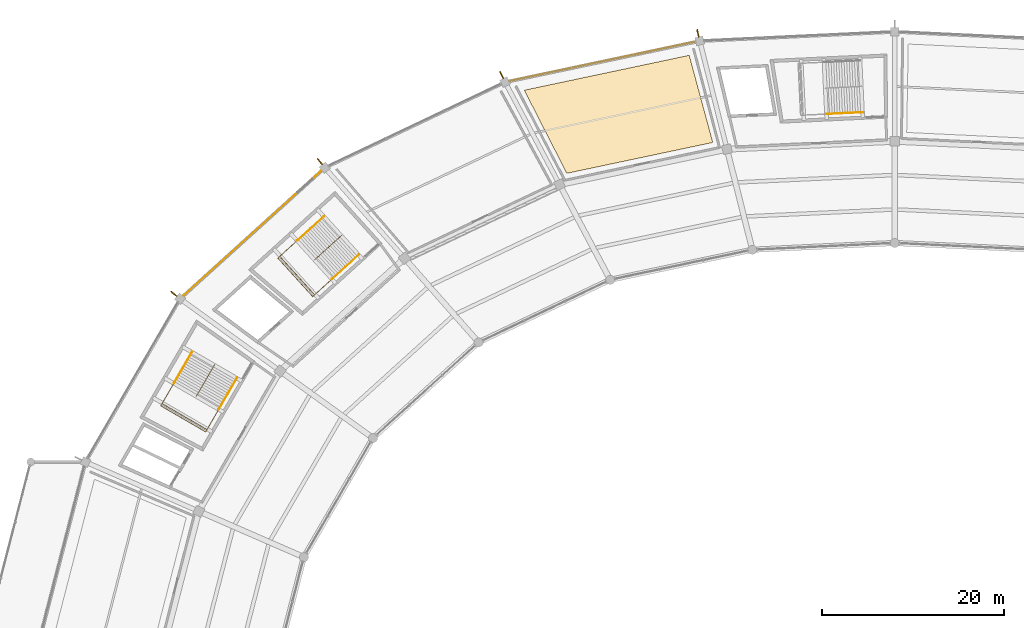
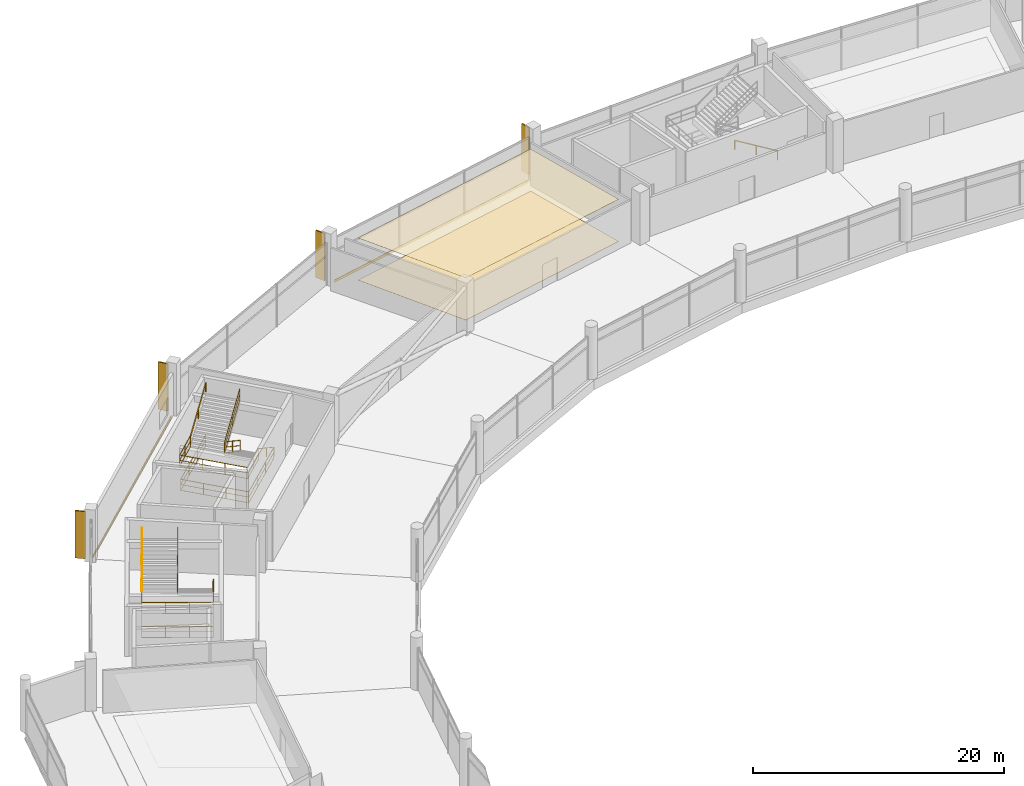
# One storey, part 182 of 184: 11 railings, 4 coverings, 4 shading devices.
"""IFC4 building model written with IfcOpenShell, lengths in metres."""

from ifc_helpers import new_model, si_unit, direction, frame, origin, origin_2d, place, context, subcontext, project, spatial, polyline, rectangle, outline, extrude, material, layer, layer_set, type_object, element, save


model = new_model("IFC4")

# Units and contexts
model_context = context("Model", 3, precision=1e-05, world=origin(), true_north=direction((0.0, 1.0)))
body_context = subcontext(model_context, "Body", "Model", "MODEL_VIEW")
ifc_project = project(units=[si_unit("LENGTHUNIT", "METRE"), si_unit("AREAUNIT", "SQUARE_METRE"), si_unit("VOLUMEUNIT", "CUBIC_METRE"), si_unit("PLANEANGLEUNIT", "RADIAN"), si_unit("MASSUNIT", "GRAM", prefix="KILO")], contexts=[model_context])

# Site, building, storey
site_placement = place(None, origin())
site = spatial("IfcSite", under=ifc_project, at=site_placement, CompositionType="ELEMENT")
building_placement = place(site_placement, origin())
building = spatial("IfcBuilding", under=site, at=building_placement, Name="Kazemori Nagisa Stadium", CompositionType="ELEMENT")
storey_placement = place(building_placement, frame((0.0, 0.0, 10.5400390625)))
storey = spatial("IfcBuildingStorey", under=building, at=storey_placement, Name="L02", CompositionType="ELEMENT", Elevation=10.5400390625)

# Coverings
ifc_material_1 = material(Name="Mineral-fibre acoustic board", Category="gypsum")
ifc_layer_1 = layer(ifc_material_1, 0.02001953125, Name="Mineral-fibre acoustic board", Category="gypsum")
ifc_layer_set_1 = layer_set([ifc_layer_1], Name="Mineral-fibre acoustic board")
covering_type_1 = type_object("IfcCoveringType", Name="Cov_CEIL", PredefinedType="CEILING", material=ifc_layer_set_1)
covering_1_placement = place(storey_placement, frame((0.0, 0.0, 4.10986328125)))
element("IfcCovering", 1, at=covering_1_placement, inside=storey, type_object=covering_type_1, Name="Acoustic ceiling L02-B09", PredefinedType="CEILING", context=body_context, shape_type="SweptSolid", body=[
    extrude(outline(polyline([(103.01025390625, 175.83251953125), (86.979248046875, 172.44091796875), (82.311279296875, 181.569091796875), (100.419677734375, 185.400146484375), (103.01025390625, 175.83251953125)])), origin(), (0.0, 0.0, 1.0), 0.02001953125),
])
ifc_material_2 = material(Name="Porcelain stoneware tile", Category="masonry")
ifc_layer_2 = layer(ifc_material_2, 0.02490234375, Name="Porcelain stoneware tile", Category="masonry")
ifc_layer_set_2 = layer_set([ifc_layer_2], Name="Porcelain stoneware tile")
covering_type_2 = type_object("IfcCoveringType", Name="Cov_FLOOR", PredefinedType="FLOORING", material=ifc_layer_set_2)
covering_2_placement = place(storey_placement, origin())
element("IfcCovering", 2, at=covering_2_placement, inside=storey, type_object=covering_type_2, Name="Porcelain floor finish L02-B09", PredefinedType="FLOORING", context=body_context, shape_type="SweptSolid", body=[
    extrude(outline(polyline([(103.01025390625, 175.83251953125), (86.979248046875, 172.44091796875), (82.311279296875, 181.569091796875), (100.419677734375, 185.400146484375), (103.01025390625, 175.83251953125)])), origin(), (0.0, 0.0, 1.0), 0.02490234375),
])
ifc_material_3 = material(Name="Anodised aluminium 6063-T5", Category="aluminium")
ifc_layer_3 = layer(ifc_material_3, 0.034912109375, Name="Anodised aluminium 6063-T5", Category="aluminium")
ifc_layer_set_3 = layer_set([ifc_layer_3], Name="Anodised aluminium 6063-T5")
covering_type_3 = type_object("IfcCoveringType", Name="Covering_CLAD", PredefinedType="CLADDING", material=ifc_layer_set_3)
covering_3_placement = place(storey_placement, frame((90.8837890625, 184.7255859375, -0.26025390625), z_axis=(0.0, 0.0, 1.0), x_axis=(-0.978344955407, -0.206981033502, 0.0)))
element("IfcCovering", 3, at=covering_3_placement, inside=storey, type_object=covering_type_3, Name="Anodised fascia cladding L02-B09", PredefinedType="CLADDING", context=body_context, shape_type="SweptSolid", body=[
    extrude(rectangle(XDim=20.750244140625, YDim=0.0400390625, at=origin_2d()), origin(), (0.0, 0.0, 1.0), 0.260009765625),
])
covering_4_placement = place(storey_placement, frame((52.453369140625, 165.86328125, -0.26025390625), z_axis=(0.0, 0.0, 1.0), x_axis=(-0.741350875443, -0.671117634607, 0.0)))
element("IfcCovering", 4, at=covering_4_placement, inside=storey, type_object=covering_type_3, Name="Anodised fascia cladding L02-B11", PredefinedType="CLADDING", context=body_context, shape_type="SweptSolid", body=[
    extrude(rectangle(XDim=20.34375, YDim=0.0400390625, at=origin_2d()), origin(), (0.0, 0.0, 1.0), 0.260009765625),
])

# Shading devices
ifc_material_4 = material(Name="Aluminium 6063-T5 anodised", Category="aluminium")
shading_device_type = type_object("IfcShadingDeviceType", Name="Fin_FN02", PredefinedType="USERDEFINED", material=ifc_material_4)
for number, where, z_axis, x_axis, name in (
    (5, (101.382080078125, 187.8203125, 0.0), (0.0, 0.0, 1.0), (-0.222520933954, 0.974927912182, 0.0), "Aerodynamic wave shading fin L02-09"),
    (6, (79.82421875, 183.234619140625, 0.0), (0.0, 0.0, 1.0), (-0.433883739113, 0.900968867905, 0.0), "Aerodynamic wave shading fin L02-10"),
    (7, (59.868896484375, 173.7275390625, 0.0), (0.0, 0.0, 1.0), (-0.623489801853, 0.781831482473, 0.0), "Aerodynamic wave shading fin L02-11"),
    (8, (43.836181640625, 159.20068359375, 0.0), (0.0, 0.0, 1.0), (-0.781831482473, 0.623489801853, 0.0), "Aerodynamic wave shading fin L02-12"),
):
    element("IfcShadingDevice", number, at=place(storey_placement, frame(where, z_axis=z_axis, x_axis=x_axis)), inside=storey, type_object=shading_device_type, Name=name, ObjectType="FIN", PredefinedType="USERDEFINED", context=body_context, shape_type="SweptSolid", body=[
        extrude(rectangle(XDim=0.85009765625, YDim=0.1201171875, at=origin_2d()), origin(), (0.0, 0.0, 1.0), 4.60009765625),
    ])

# Railings
ifc_material_5 = material(Name="Galvanised powder-coated steel", Category="steel")
railing_type_1 = type_object("IfcRailingType", Name="Rail_GUARD", PredefinedType="GUARDRAIL", material=ifc_material_5)
railing_1_placement = place(storey_placement, frame((64.12109375, 163.4794921875, 0.0)))
element("IfcRailing", 9, at=railing_1_placement, inside=storey, type_object=railing_type_1, Name="Stair well perimeter guard ST02-L02", PredefinedType="GUARDRAIL", context=body_context, shape_type="SweptSolid", body=[
    extrude(rectangle(XDim=0.050048828125, YDim=0.050048828125, at=origin_2d()), frame((0.0, 0.0, 1.09521484375), z_axis=(-0.741331867292, -0.671138631385, 0.0), x_axis=(0.671138631385, -0.741331867292, 0.0)), (0.0, 0.0, 1.0), 6.52490234375),
    extrude(rectangle(XDim=0.03759765625, YDim=0.03759765625, at=origin_2d()), frame((0.0, 0.0, 0.58251953125), z_axis=(-0.741331867292, -0.671138631385, 0.0), x_axis=(0.671138631385, -0.741331867292, 0.0)), (0.0, 0.0, 1.0), 6.52490234375),
    extrude(rectangle(XDim=0.03759765625, YDim=0.03759765625, at=origin_2d()), frame((0.0, 0.0, 0.02490234375), z_axis=(-0.741331867292, -0.671138631385, 0.0), x_axis=(0.671138631385, -0.741331867292, 0.0)), (0.0, 0.0, 1.0), 6.52490234375),
    extrude(rectangle(XDim=0.050048828125, YDim=0.050048828125, at=origin_2d()), frame((-4.837158203125, -4.379150390625, 1.09521484375), z_axis=(-0.671112926645, 0.74135513736, 0.0), x_axis=(-0.74135513736, -0.671112926645, 0.0)), (0.0, 0.0, 1.0), 5.7001953125),
    extrude(rectangle(XDim=0.03759765625, YDim=0.03759765625, at=origin_2d()), frame((-4.837158203125, -4.379150390625, 0.58251953125), z_axis=(-0.671112926645, 0.74135513736, 0.0), x_axis=(-0.74135513736, -0.671112926645, 0.0)), (0.0, 0.0, 1.0), 5.7001953125),
    extrude(rectangle(XDim=0.03759765625, YDim=0.03759765625, at=origin_2d()), frame((-4.837158203125, -4.379150390625, 0.02490234375), z_axis=(-0.671112926645, 0.74135513736, 0.0), x_axis=(-0.74135513736, -0.671112926645, 0.0)), (0.0, 0.0, 1.0), 5.7001953125),
    extrude(rectangle(XDim=0.050048828125, YDim=0.050048828125, at=origin_2d()), frame((-8.66259765625, -0.1533203125, 1.09521484375), z_axis=(0.741367335581, 0.671099451448, 0.0), x_axis=(-0.671099451448, 0.741367335581, 0.0)), (0.0, 0.0, 1.0), 6.52490234375),
    extrude(rectangle(XDim=0.03759765625, YDim=0.03759765625, at=origin_2d()), frame((-8.66259765625, -0.1533203125, 0.58251953125), z_axis=(0.741367335581, 0.671099451448, 0.0), x_axis=(-0.671099451448, 0.741367335581, 0.0)), (0.0, 0.0, 1.0), 6.52490234375),
    extrude(rectangle(XDim=0.03759765625, YDim=0.03759765625, at=origin_2d()), frame((-8.66259765625, -0.1533203125, 0.02490234375), z_axis=(0.741367335581, 0.671099451448, 0.0), x_axis=(-0.671099451448, 0.741367335581, 0.0)), (0.0, 0.0, 1.0), 6.52490234375),
    extrude(rectangle(XDim=0.044921875, YDim=0.044921875, at=origin_2d()), origin(), (0.0, 0.0, 1.0), 1.070068359375),
    extrude(rectangle(XDim=0.044921875, YDim=0.044921875, at=origin_2d()), frame((-1.6123046875, -1.459716796875, 0.0)), (0.0, 0.0, 1.0), 1.070068359375),
    extrude(rectangle(XDim=0.044921875, YDim=0.044921875, at=origin_2d()), frame((-3.224853515625, -2.91943359375, 0.0)), (0.0, 0.0, 1.0), 1.070068359375),
    extrude(rectangle(XDim=0.044921875, YDim=0.044921875, at=origin_2d()), frame((-4.837158203125, -4.379150390625, 0.0)), (0.0, 0.0, 1.0), 1.070068359375),
    extrude(rectangle(XDim=0.044921875, YDim=0.044921875, at=origin_2d()), frame((-6.1123046875, -2.970458984375, 0.0)), (0.0, 0.0, 1.0), 1.070068359375),
    extrude(rectangle(XDim=0.044921875, YDim=0.044921875, at=origin_2d()), frame((-7.387451171875, -1.56201171875, 0.0)), (0.0, 0.0, 1.0), 1.070068359375),
    extrude(rectangle(XDim=0.044921875, YDim=0.044921875, at=origin_2d()), frame((-8.66259765625, -0.1533203125, 0.0)), (0.0, 0.0, 1.0), 1.070068359375),
    extrude(rectangle(XDim=0.044921875, YDim=0.044921875, at=origin_2d()), frame((-7.050048828125, 1.306396484375, 0.0)), (0.0, 0.0, 1.0), 1.070068359375),
    extrude(rectangle(XDim=0.044921875, YDim=0.044921875, at=origin_2d()), frame((-5.437744140625, 2.765869140625, 0.0)), (0.0, 0.0, 1.0), 1.070068359375),
    extrude(rectangle(XDim=0.044921875, YDim=0.044921875, at=origin_2d()), frame((-3.8251953125, 4.2255859375, 0.0)), (0.0, 0.0, 1.0), 1.070068359375),
])
railing_2_placement = place(storey_placement, frame((62.267822265625, 165.64599609375, 0.0)))
element("IfcRailing", 10, at=railing_2_placement, inside=storey, type_object=railing_type_1, Name="Stair central guard ST02-L02", PredefinedType="GUARDRAIL", context=body_context, shape_type="SweptSolid", body=[
    extrude(rectangle(XDim=0.050048828125, YDim=0.050048828125, at=origin_2d()), frame((0.0, 0.0, 1.09521484375), z_axis=(-0.62691046186, -0.5675307784, 0.533752834539), x_axis=(0.671125325747, -0.741343912864, 0.0)), (0.0, 0.0, 1.0), 4.777587890625),
    extrude(rectangle(XDim=0.03759765625, YDim=0.03759765625, at=origin_2d()), frame((0.0, 0.0, 0.58251953125), z_axis=(-0.62691046186, -0.5675307784, 0.533752834539), x_axis=(0.671125325747, -0.741343912864, 0.0)), (0.0, 0.0, 1.0), 4.777587890625),
    extrude(rectangle(XDim=0.03759765625, YDim=0.03759765625, at=origin_2d()), frame((0.0, 0.0, 0.02490234375), z_axis=(-0.62691046186, -0.5675307784, 0.533752834539), x_axis=(0.671125325747, -0.741343912864, 0.0)), (0.0, 0.0, 1.0), 4.777587890625),
    extrude(rectangle(XDim=0.050048828125, YDim=0.050048828125, at=origin_2d()), frame((-2.9951171875, -2.71142578125, 3.64501953125), z_axis=(0.623314113675, 0.564274215506, 0.541363210247), x_axis=(-0.671124767853, 0.741344417916, 0.0)), (0.0, 0.0, 1.0), 4.7099609375),
    extrude(rectangle(XDim=0.03759765625, YDim=0.03759765625, at=origin_2d()), frame((-2.9951171875, -2.71142578125, 3.132568359375), z_axis=(0.623314113675, 0.564274215506, 0.541363210247), x_axis=(-0.671124767853, 0.741344417916, 0.0)), (0.0, 0.0, 1.0), 4.7099609375),
    extrude(rectangle(XDim=0.03759765625, YDim=0.03759765625, at=origin_2d()), frame((-2.9951171875, -2.71142578125, 2.5751953125), z_axis=(0.623314113675, 0.564274215506, 0.541363210247), x_axis=(-0.671124767853, 0.741344417916, 0.0)), (0.0, 0.0, 1.0), 4.7099609375),
    extrude(rectangle(XDim=0.044921875, YDim=0.044921875, at=origin_2d()), origin(), (0.0, 0.0, 1.0), 1.070068359375),
    extrude(rectangle(XDim=0.044921875, YDim=0.044921875, at=origin_2d()), frame((-1.49755859375, -1.355712890625, 1.27490234375)), (0.0, 0.0, 1.0), 1.070068359375),
    extrude(rectangle(XDim=0.044921875, YDim=0.044921875, at=origin_2d()), frame((-2.9951171875, -2.71142578125, 2.550048828125)), (0.0, 0.0, 1.0), 1.070068359375),
    extrude(rectangle(XDim=0.044921875, YDim=0.044921875, at=origin_2d()), frame((-1.52734375, -1.382568359375, 3.824951171875)), (0.0, 0.0, 1.0), 1.070068359375),
    extrude(rectangle(XDim=0.044921875, YDim=0.044921875, at=origin_2d()), frame((-0.059326171875, -0.0537109375, 5.099853515625)), (0.0, 0.0, 1.0), 1.070068359375),
])
railing_3_placement = place(storey_placement, frame((61.185546875, 160.82177734375, 2.550048828125)))
element("IfcRailing", 11, at=railing_3_placement, inside=storey, type_object=railing_type_1, Name="Stair landing guard ST02-L02", PredefinedType="GUARDRAIL", context=body_context, shape_type="SweptSolid", body=[
    extrude(rectangle(XDim=0.050048828125, YDim=0.050048828125, at=origin_2d()), frame((0.0, 0.0, 1.09521484375), z_axis=(-0.741395736118, -0.671068075881, 0.0), x_axis=(0.671068075881, -0.741395736118, 0.0)), (0.0, 0.0, 1.0), 2.85009765625),
    extrude(rectangle(XDim=0.03759765625, YDim=0.03759765625, at=origin_2d()), frame((0.0, 0.0, 0.58251953125), z_axis=(-0.741395736118, -0.671068075881, 0.0), x_axis=(0.671068075881, -0.741395736118, 0.0)), (0.0, 0.0, 1.0), 2.85009765625),
    extrude(rectangle(XDim=0.03759765625, YDim=0.03759765625, at=origin_2d()), frame((0.0, 0.0, 0.02490234375), z_axis=(-0.741395736118, -0.671068075881, 0.0), x_axis=(0.671068075881, -0.741395736118, 0.0)), (0.0, 0.0, 1.0), 2.85009765625),
    extrude(rectangle(XDim=0.050048828125, YDim=0.050048828125, at=origin_2d()), frame((-2.113037109375, -1.91259765625, 1.09521484375), z_axis=(-0.671110696127, 0.741357156534, 0.0), x_axis=(-0.741357156534, -0.671110696127, 0.0)), (0.0, 0.0, 1.0), 5.69970703125),
    extrude(rectangle(XDim=0.03759765625, YDim=0.03759765625, at=origin_2d()), frame((-2.113037109375, -1.91259765625, 0.58251953125), z_axis=(-0.671110696127, 0.741357156534, 0.0), x_axis=(-0.741357156534, -0.671110696127, 0.0)), (0.0, 0.0, 1.0), 5.69970703125),
    extrude(rectangle(XDim=0.03759765625, YDim=0.03759765625, at=origin_2d()), frame((-2.113037109375, -1.91259765625, 0.02490234375), z_axis=(-0.671110696127, 0.741357156534, 0.0), x_axis=(-0.741357156534, -0.671110696127, 0.0)), (0.0, 0.0, 1.0), 5.69970703125),
    extrude(rectangle(XDim=0.050048828125, YDim=0.050048828125, at=origin_2d()), frame((-5.938232421875, 2.31298828125, 1.09521484375), z_axis=(0.741314535645, 0.671157775223, 0.0), x_axis=(-0.671157775223, 0.741314535645, 0.0)), (0.0, 0.0, 1.0), 2.85009765625),
    extrude(rectangle(XDim=0.03759765625, YDim=0.03759765625, at=origin_2d()), frame((-5.938232421875, 2.31298828125, 0.58251953125), z_axis=(0.741314535645, 0.671157775223, 0.0), x_axis=(-0.671157775223, 0.741314535645, 0.0)), (0.0, 0.0, 1.0), 2.85009765625),
    extrude(rectangle(XDim=0.03759765625, YDim=0.03759765625, at=origin_2d()), frame((-5.938232421875, 2.31298828125, 0.02490234375), z_axis=(0.741314535645, 0.671157775223, 0.0), x_axis=(-0.671157775223, 0.741314535645, 0.0)), (0.0, 0.0, 1.0), 2.85009765625),
    extrude(rectangle(XDim=0.044921875, YDim=0.044921875, at=origin_2d()), origin(), (0.0, 0.0, 1.0), 1.070068359375),
    extrude(rectangle(XDim=0.044921875, YDim=0.044921875, at=origin_2d()), frame((-1.056640625, -0.956298828125, 0.0)), (0.0, 0.0, 1.0), 1.070068359375),
    extrude(rectangle(XDim=0.044921875, YDim=0.044921875, at=origin_2d()), frame((-2.113037109375, -1.91259765625, 0.0)), (0.0, 0.0, 1.0), 1.070068359375),
    extrude(rectangle(XDim=0.044921875, YDim=0.044921875, at=origin_2d()), frame((-3.38818359375, -0.504150390625, 0.0)), (0.0, 0.0, 1.0), 1.070068359375),
    extrude(rectangle(XDim=0.044921875, YDim=0.044921875, at=origin_2d()), frame((-4.6630859375, 0.904541015625, 0.0)), (0.0, 0.0, 1.0), 1.070068359375),
    extrude(rectangle(XDim=0.044921875, YDim=0.044921875, at=origin_2d()), frame((-5.938232421875, 2.31298828125, 0.0)), (0.0, 0.0, 1.0), 1.070068359375),
    extrude(rectangle(XDim=0.044921875, YDim=0.044921875, at=origin_2d()), frame((-4.8818359375, 3.26953125, 0.0)), (0.0, 0.0, 1.0), 1.070068359375),
    extrude(rectangle(XDim=0.044921875, YDim=0.044921875, at=origin_2d()), frame((-3.825439453125, 4.225830078125, 0.0)), (0.0, 0.0, 1.0), 1.070068359375),
])
railing_4_placement = place(storey_placement, frame((50.736083984375, 149.940673828125, 0.0)))
element("IfcRailing", 12, at=railing_4_placement, inside=storey, type_object=railing_type_1, Name="Stair well perimeter guard ST08-L02", PredefinedType="GUARDRAIL", context=body_context, shape_type="SweptSolid", body=[
    extrude(rectangle(XDim=0.050048828125, YDim=0.050048828125, at=origin_2d()), frame((0.0, 0.0, 1.09521484375), z_axis=(-0.501601054686, -0.865099059032, 0.0), x_axis=(0.865099059032, -0.501601054686, 0.0)), (0.0, 0.0, 1.0), 6.52490234375),
    extrude(rectangle(XDim=0.03759765625, YDim=0.03759765625, at=origin_2d()), frame((0.0, 0.0, 0.58251953125), z_axis=(-0.501601054686, -0.865099059032, 0.0), x_axis=(0.865099059032, -0.501601054686, 0.0)), (0.0, 0.0, 1.0), 6.52490234375),
    extrude(rectangle(XDim=0.03759765625, YDim=0.03759765625, at=origin_2d()), frame((0.0, 0.0, 0.02490234375), z_axis=(-0.501601054686, -0.865099059032, 0.0), x_axis=(0.865099059032, -0.501601054686, 0.0)), (0.0, 0.0, 1.0), 6.52490234375),
    extrude(rectangle(XDim=0.050048828125, YDim=0.050048828125, at=origin_2d()), frame((-3.27294921875, -5.644775390625, 1.09521484375), z_axis=(-0.865102561401, 0.501595014188, 0.0), x_axis=(-0.501595014188, -0.865102561401, 0.0)), (0.0, 0.0, 1.0), 5.7001953125),
    extrude(rectangle(XDim=0.03759765625, YDim=0.03759765625, at=origin_2d()), frame((-3.27294921875, -5.644775390625, 0.58251953125), z_axis=(-0.865102561401, 0.501595014188, 0.0), x_axis=(-0.501595014188, -0.865102561401, 0.0)), (0.0, 0.0, 1.0), 5.7001953125),
    extrude(rectangle(XDim=0.03759765625, YDim=0.03759765625, at=origin_2d()), frame((-3.27294921875, -5.644775390625, 0.02490234375), z_axis=(-0.865102561401, 0.501595014188, 0.0), x_axis=(-0.501595014188, -0.865102561401, 0.0)), (0.0, 0.0, 1.0), 5.7001953125),
    extrude(rectangle(XDim=0.050048828125, YDim=0.050048828125, at=origin_2d()), frame((-8.2041015625, -2.78564453125, 1.09521484375), z_axis=(0.501629056017, 0.865082822717, 0.0), x_axis=(-0.865082822717, 0.501629056017, 0.0)), (0.0, 0.0, 1.0), 6.525146484375),
    extrude(rectangle(XDim=0.03759765625, YDim=0.03759765625, at=origin_2d()), frame((-8.2041015625, -2.78564453125, 0.58251953125), z_axis=(0.501629056017, 0.865082822717, 0.0), x_axis=(-0.865082822717, 0.501629056017, 0.0)), (0.0, 0.0, 1.0), 6.525146484375),
    extrude(rectangle(XDim=0.03759765625, YDim=0.03759765625, at=origin_2d()), frame((-8.2041015625, -2.78564453125, 0.02490234375), z_axis=(0.501629056017, 0.865082822717, 0.0), x_axis=(-0.865082822717, 0.501629056017, 0.0)), (0.0, 0.0, 1.0), 6.525146484375),
    extrude(rectangle(XDim=0.044921875, YDim=0.044921875, at=origin_2d()), origin(), (0.0, 0.0, 1.0), 1.070068359375),
    extrude(rectangle(XDim=0.044921875, YDim=0.044921875, at=origin_2d()), frame((-1.091064453125, -1.881591796875, 0.0)), (0.0, 0.0, 1.0), 1.070068359375),
    extrude(rectangle(XDim=0.044921875, YDim=0.044921875, at=origin_2d()), frame((-2.181884765625, -3.76318359375, 0.0)), (0.0, 0.0, 1.0), 1.070068359375),
    extrude(rectangle(XDim=0.044921875, YDim=0.044921875, at=origin_2d()), frame((-3.27294921875, -5.644775390625, 0.0)), (0.0, 0.0, 1.0), 1.070068359375),
    extrude(rectangle(XDim=0.044921875, YDim=0.044921875, at=origin_2d()), frame((-4.916748046875, -4.691650390625, 0.0)), (0.0, 0.0, 1.0), 1.070068359375),
    extrude(rectangle(XDim=0.044921875, YDim=0.044921875, at=origin_2d()), frame((-6.560302734375, -3.73876953125, 0.0)), (0.0, 0.0, 1.0), 1.070068359375),
    extrude(rectangle(XDim=0.044921875, YDim=0.044921875, at=origin_2d()), frame((-8.2041015625, -2.78564453125, 0.0)), (0.0, 0.0, 1.0), 1.070068359375),
    extrude(rectangle(XDim=0.044921875, YDim=0.044921875, at=origin_2d()), frame((-7.113037109375, -0.904052734375, 0.0)), (0.0, 0.0, 1.0), 1.070068359375),
    extrude(rectangle(XDim=0.044921875, YDim=0.044921875, at=origin_2d()), frame((-6.02197265625, 0.9775390625, 0.0)), (0.0, 0.0, 1.0), 1.070068359375),
    extrude(rectangle(XDim=0.044921875, YDim=0.044921875, at=origin_2d()), frame((-4.930908203125, 2.859130859375, 0.0)), (0.0, 0.0, 1.0), 1.070068359375),
])
railing_5_placement = place(storey_placement, frame((48.310791015625, 151.439453125, 0.0)))
element("IfcRailing", 13, at=railing_5_placement, inside=storey, type_object=railing_type_1, Name="Stair central guard ST08-L02", PredefinedType="GUARDRAIL", context=body_context, shape_type="SweptSolid", body=[
    extrude(rectangle(XDim=0.050048828125, YDim=0.050048828125, at=origin_2d()), frame((0.0, 0.0, 1.09521484375), z_axis=(-0.424187600614, -0.731558811033, 0.533747679606), x_axis=(0.865090978338, -0.501614991002, 0.0)), (0.0, 0.0, 1.0), 4.777587890625),
    extrude(rectangle(XDim=0.03759765625, YDim=0.03759765625, at=origin_2d()), frame((0.0, 0.0, 0.58251953125), z_axis=(-0.424187600614, -0.731558811033, 0.533747679606), x_axis=(0.865090978338, -0.501614991002, 0.0)), (0.0, 0.0, 1.0), 4.777587890625),
    extrude(rectangle(XDim=0.03759765625, YDim=0.03759765625, at=origin_2d()), frame((0.0, 0.0, 0.02490234375), z_axis=(-0.424187600614, -0.731558811033, 0.533747679606), x_axis=(0.865090978338, -0.501614991002, 0.0)), (0.0, 0.0, 1.0), 4.777587890625),
    extrude(rectangle(XDim=0.050048828125, YDim=0.050048828125, at=origin_2d()), frame((-2.026611328125, -3.4951171875, 3.64501953125), z_axis=(0.421736357606, 0.727360443698, 0.541373465934), x_axis=(-0.865099679228, 0.501599985048, 0.0)), (0.0, 0.0, 1.0), 4.7099609375),
    extrude(rectangle(XDim=0.03759765625, YDim=0.03759765625, at=origin_2d()), frame((-2.026611328125, -3.4951171875, 3.132568359375), z_axis=(0.421736357606, 0.727360443698, 0.541373465934), x_axis=(-0.865099679228, 0.501599985048, 0.0)), (0.0, 0.0, 1.0), 4.7099609375),
    extrude(rectangle(XDim=0.03759765625, YDim=0.03759765625, at=origin_2d()), frame((-2.026611328125, -3.4951171875, 2.5751953125), z_axis=(0.421736357606, 0.727360443698, 0.541373465934), x_axis=(-0.865099679228, 0.501599985048, 0.0)), (0.0, 0.0, 1.0), 4.7099609375),
    extrude(rectangle(XDim=0.044921875, YDim=0.044921875, at=origin_2d()), origin(), (0.0, 0.0, 1.0), 1.070068359375),
    extrude(rectangle(XDim=0.044921875, YDim=0.044921875, at=origin_2d()), frame((-1.01318359375, -1.74755859375, 1.27490234375)), (0.0, 0.0, 1.0), 1.070068359375),
    extrude(rectangle(XDim=0.044921875, YDim=0.044921875, at=origin_2d()), frame((-2.026611328125, -3.4951171875, 2.550048828125)), (0.0, 0.0, 1.0), 1.070068359375),
    extrude(rectangle(XDim=0.044921875, YDim=0.044921875, at=origin_2d()), frame((-1.033447265625, -1.7822265625, 3.824951171875)), (0.0, 0.0, 1.0), 1.070068359375),
    extrude(rectangle(XDim=0.044921875, YDim=0.044921875, at=origin_2d()), frame((-0.040283203125, -0.0693359375, 5.099853515625)), (0.0, 0.0, 1.0), 1.070068359375),
])
railing_6_placement = place(storey_placement, frame((48.749755859375, 146.514892578125, 2.550048828125)))
element("IfcRailing", 14, at=railing_6_placement, inside=storey, type_object=railing_type_1, Name="Stair landing guard ST08-L02", PredefinedType="GUARDRAIL", context=body_context, shape_type="SweptSolid", body=[
    extrude(rectangle(XDim=0.050048828125, YDim=0.050048828125, at=origin_2d()), frame((0.0, 0.0, 1.09521484375), z_axis=(-0.501627068055, -0.865083975458, 0.0), x_axis=(0.865083975458, -0.501627068055, 0.0)), (0.0, 0.0, 1.0), 2.85009765625),
    extrude(rectangle(XDim=0.03759765625, YDim=0.03759765625, at=origin_2d()), frame((0.0, 0.0, 0.58251953125), z_axis=(-0.501627068055, -0.865083975458, 0.0), x_axis=(0.865083975458, -0.501627068055, 0.0)), (0.0, 0.0, 1.0), 2.85009765625),
    extrude(rectangle(XDim=0.03759765625, YDim=0.03759765625, at=origin_2d()), frame((0.0, 0.0, 0.02490234375), z_axis=(-0.501627068055, -0.865083975458, 0.0), x_axis=(0.865083975458, -0.501627068055, 0.0)), (0.0, 0.0, 1.0), 2.85009765625),
    extrude(rectangle(XDim=0.050048828125, YDim=0.050048828125, at=origin_2d()), frame((-1.4296875, -2.465576171875, 1.09521484375), z_axis=(-0.865091784601, 0.501613600508, 0.0), x_axis=(-0.501613600508, -0.865091784601, 0.0)), (0.0, 0.0, 1.0), 5.699951171875),
    extrude(rectangle(XDim=0.03759765625, YDim=0.03759765625, at=origin_2d()), frame((-1.4296875, -2.465576171875, 0.58251953125), z_axis=(-0.865091784601, 0.501613600508, 0.0), x_axis=(-0.501613600508, -0.865091784601, 0.0)), (0.0, 0.0, 1.0), 5.699951171875),
    extrude(rectangle(XDim=0.03759765625, YDim=0.03759765625, at=origin_2d()), frame((-1.4296875, -2.465576171875, 0.02490234375), z_axis=(-0.865091784601, 0.501613600508, 0.0), x_axis=(-0.501613600508, -0.865091784601, 0.0)), (0.0, 0.0, 1.0), 5.699951171875),
    extrude(rectangle(XDim=0.050048828125, YDim=0.050048828125, at=origin_2d()), frame((-6.360595703125, 0.3935546875, 1.09521484375), z_axis=(0.501562958255, 0.865121146954, 0.0), x_axis=(-0.865121146954, 0.501562958255, 0.0)), (0.0, 0.0, 1.0), 2.85009765625),
    extrude(rectangle(XDim=0.03759765625, YDim=0.03759765625, at=origin_2d()), frame((-6.360595703125, 0.3935546875, 0.58251953125), z_axis=(0.501562958255, 0.865121146954, 0.0), x_axis=(-0.865121146954, 0.501562958255, 0.0)), (0.0, 0.0, 1.0), 2.85009765625),
    extrude(rectangle(XDim=0.03759765625, YDim=0.03759765625, at=origin_2d()), frame((-6.360595703125, 0.3935546875, 0.02490234375), z_axis=(0.501562958255, 0.865121146954, 0.0), x_axis=(-0.865121146954, 0.501562958255, 0.0)), (0.0, 0.0, 1.0), 2.85009765625),
    extrude(rectangle(XDim=0.044921875, YDim=0.044921875, at=origin_2d()), origin(), (0.0, 0.0, 1.0), 1.070068359375),
    extrude(rectangle(XDim=0.044921875, YDim=0.044921875, at=origin_2d()), frame((-0.71484375, -1.23291015625, 0.0)), (0.0, 0.0, 1.0), 1.070068359375),
    extrude(rectangle(XDim=0.044921875, YDim=0.044921875, at=origin_2d()), frame((-1.4296875, -2.465576171875, 0.0)), (0.0, 0.0, 1.0), 1.070068359375),
    extrude(rectangle(XDim=0.044921875, YDim=0.044921875, at=origin_2d()), frame((-3.0732421875, -1.512451171875, 0.0)), (0.0, 0.0, 1.0), 1.070068359375),
    extrude(rectangle(XDim=0.044921875, YDim=0.044921875, at=origin_2d()), frame((-4.717041015625, -0.5595703125, 0.0)), (0.0, 0.0, 1.0), 1.070068359375),
    extrude(rectangle(XDim=0.044921875, YDim=0.044921875, at=origin_2d()), frame((-6.360595703125, 0.3935546875, 0.0)), (0.0, 0.0, 1.0), 1.070068359375),
    extrude(rectangle(XDim=0.044921875, YDim=0.044921875, at=origin_2d()), frame((-5.64599609375, 1.62646484375, 0.0)), (0.0, 0.0, 1.0), 1.070068359375),
    extrude(rectangle(XDim=0.044921875, YDim=0.044921875, at=origin_2d()), frame((-4.93115234375, 2.859130859375, 0.0)), (0.0, 0.0, 1.0), 1.070068359375),
])
ifc_material_6 = material(Name="Stainless steel SUS304", Category="steel")
railing_type_2 = type_object("IfcRailingType", Name="Rail_HAND", PredefinedType="HANDRAIL", material=ifc_material_6)
railing_7_placement = place(storey_placement, frame((119.5322265625, 179.142333984375, 0.169921875)))
element("IfcRailing", 15, at=railing_7_placement, inside=storey, type_object=railing_type_2, Name="Stair handrail ST05-L02-F1", PredefinedType="HANDRAIL", context=body_context, shape_type="SweptSolid", body=[
    extrude(rectangle(XDim=0.050048828125, YDim=0.050048828125, at=origin_2d()), frame((0.0, 0.0, 0.875), z_axis=(-0.8446835464, -0.039962643432, 0.533772136375), x_axis=(0.047257927704, -0.998882719977, 0.0)), (0.0, 0.0, 1.0), 4.77734375),
    extrude(rectangle(XDim=0.044921875, YDim=0.044921875, at=origin_2d()), origin(), (0.0, 0.0, 1.0), 0.849853515625),
    extrude(rectangle(XDim=0.044921875, YDim=0.044921875, at=origin_2d()), frame((-2.017578125, -0.095458984375, 1.27490234375)), (0.0, 0.0, 1.0), 0.849853515625),
    extrude(rectangle(XDim=0.044921875, YDim=0.044921875, at=origin_2d()), frame((-4.035400390625, -0.19091796875, 2.550048828125)), (0.0, 0.0, 1.0), 0.849853515625),
])
railing_8_placement = place(storey_placement, frame((64.180419921875, 163.533203125, 0.169921875)))
element("IfcRailing", 16, at=railing_8_placement, inside=storey, type_object=railing_type_2, Name="Stair handrail ST02-L02-F1", PredefinedType="HANDRAIL", context=body_context, shape_type="SweptSolid", body=[
    extrude(rectangle(XDim=0.050048828125, YDim=0.050048828125, at=origin_2d()), frame((0.0, 0.0, 0.875), z_axis=(-0.626879442749, -0.567548959907, 0.53376993393), x_axis=(0.671155392103, -0.741316693223, 0.0)), (0.0, 0.0, 1.0), 4.77734375),
    extrude(rectangle(XDim=0.044921875, YDim=0.044921875, at=origin_2d()), origin(), (0.0, 0.0, 1.0), 0.849853515625),
    extrude(rectangle(XDim=0.044921875, YDim=0.044921875, at=origin_2d()), frame((-1.49755859375, -1.355712890625, 1.27490234375)), (0.0, 0.0, 1.0), 0.849853515625),
    extrude(rectangle(XDim=0.044921875, YDim=0.044921875, at=origin_2d()), frame((-2.994873046875, -2.71142578125, 2.550048828125)), (0.0, 0.0, 1.0), 0.849853515625),
])
railing_9_placement = place(storey_placement, frame((57.360107421875, 165.047607421875, 2.719970703125)))
element("IfcRailing", 17, at=railing_9_placement, inside=storey, type_object=railing_type_2, Name="Stair handrail ST02-L02-F2", PredefinedType="HANDRAIL", context=body_context, shape_type="SweptSolid", body=[
    extrude(rectangle(XDim=0.050048828125, YDim=0.050048828125, at=origin_2d()), frame((0.0, 0.0, 0.875), z_axis=(0.623314852242, 0.564223049202, 0.541415686625), x_axis=(-0.671090883286, 0.74137509155, 0.0)), (0.0, 0.0, 1.0), 4.7099609375),
    extrude(rectangle(XDim=0.044921875, YDim=0.044921875, at=origin_2d()), origin(), (0.0, 0.0, 1.0), 0.849853515625),
    extrude(rectangle(XDim=0.044921875, YDim=0.044921875, at=origin_2d()), frame((1.4677734375, 1.32861328125, 1.27490234375)), (0.0, 0.0, 1.0), 0.849853515625),
    extrude(rectangle(XDim=0.044921875, YDim=0.044921875, at=origin_2d()), frame((2.935791015625, 2.657470703125, 2.550048828125)), (0.0, 0.0, 1.0), 0.849853515625),
])
railing_10_placement = place(storey_placement, frame((50.776123046875, 150.009765625, 0.169921875)))
element("IfcRailing", 18, at=railing_10_placement, inside=storey, type_object=railing_type_2, Name="Stair handrail ST08-L02-F1", PredefinedType="HANDRAIL", context=body_context, shape_type="SweptSolid", body=[
    extrude(rectangle(XDim=0.050048828125, YDim=0.050048828125, at=origin_2d()), frame((0.0, 0.0, 0.875), z_axis=(-0.424161550252, -0.731550914681, 0.533779203901), x_axis=(0.865101996622, -0.501595988262, 0.0)), (0.0, 0.0, 1.0), 4.77734375),
    extrude(rectangle(XDim=0.044921875, YDim=0.044921875, at=origin_2d()), origin(), (0.0, 0.0, 1.0), 0.849853515625),
    extrude(rectangle(XDim=0.044921875, YDim=0.044921875, at=origin_2d()), frame((-1.01318359375, -1.74755859375, 1.27490234375)), (0.0, 0.0, 1.0), 0.849853515625),
    extrude(rectangle(XDim=0.044921875, YDim=0.044921875, at=origin_2d()), frame((-2.0263671875, -3.494873046875, 2.550048828125)), (0.0, 0.0, 1.0), 0.849853515625),
])
railing_11_placement = place(storey_placement, frame((43.818603515625, 149.3740234375, 2.719970703125)))
element("IfcRailing", 19, at=railing_11_placement, inside=storey, type_object=railing_type_2, Name="Stair handrail ST08-L02-F2", PredefinedType="HANDRAIL", context=body_context, shape_type="SweptSolid", body=[
    extrude(rectangle(XDim=0.050048828125, YDim=0.050048828125, at=origin_2d()), frame((0.0, 0.0, 0.875), z_axis=(0.421767136699, 0.727324132009, 0.541398272437), x_axis=(-0.865072925963, 0.501646123045, 0.0)), (0.0, 0.0, 1.0), 4.710205078125),
    extrude(rectangle(XDim=0.044921875, YDim=0.044921875, at=origin_2d()), origin(), (0.0, 0.0, 1.0), 0.849853515625),
    extrude(rectangle(XDim=0.044921875, YDim=0.044921875, at=origin_2d()), frame((0.9931640625, 1.712890625, 1.27490234375)), (0.0, 0.0, 1.0), 0.849853515625),
    extrude(rectangle(XDim=0.044921875, YDim=0.044921875, at=origin_2d()), frame((1.986572265625, 3.42578125, 2.550048828125)), (0.0, 0.0, 1.0), 0.849853515625),
])

save(model, "model.ifc")
